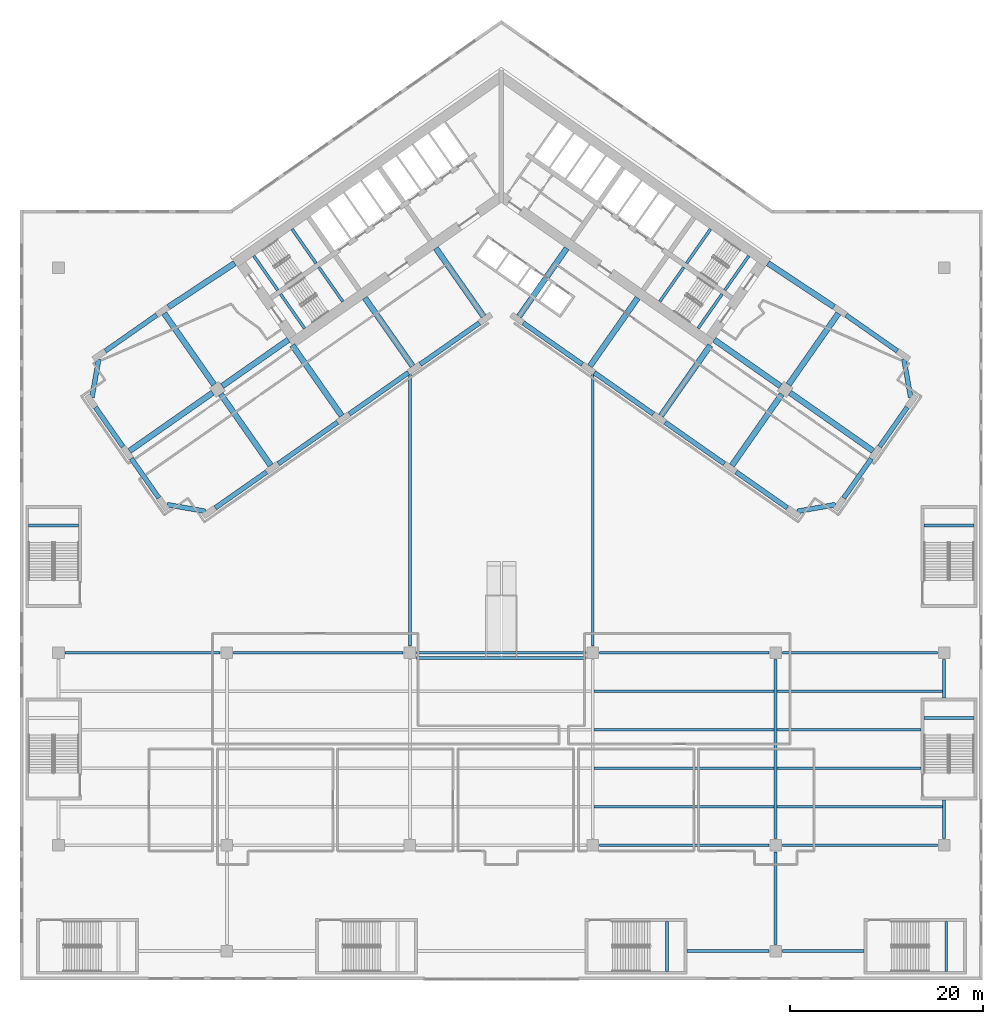
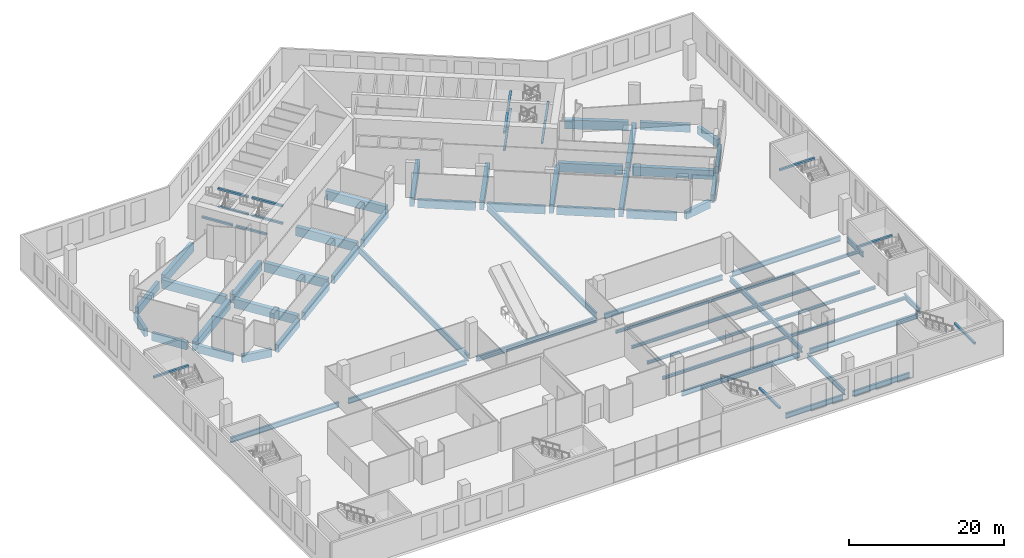
# One storey, part 3 of 26: 75 beams.
"""IFC4 building model written with IfcOpenShell, lengths in metres."""

import ifcopenshell
import ifcopenshell.guid

model = None  # the IFC model being written
_history = None  # IfcOwnerHistory: only IFC2X3 demands one
_inside = {}  # id of a spatial element -> (the spatial element, [elements in it])
_under = {}  # id of a project, library or spatial element -> (it, [spatial elements below it])
_declared = {}  # id of a project -> (the project, [libraries it declares])
_typed = {}  # id of a type object -> (the type object, [elements of that type])
_made_of = {}  # id of a material, layer set ... -> (it, [elements and type objects made of it])


def new_model(schema):
    """Start an empty IFC model of exactly this schema.

    Asked for "IFC4X3", IfcOpenShell would pick the latest addendum, in which some entities
    have other attributes; the version numbers below select the first issue.
    IFC2X3 requires an IfcOwnerHistory on every rooted entity: one is made here for all.
    """
    global model, _history
    if schema == "IFC4X3":
        model = ifcopenshell.file(schema_version=(4, 3, 0, 0))
    else:
        model = ifcopenshell.file(schema=schema)
    _inside.clear()
    _under.clear()
    _declared.clear()
    _typed.clear()
    _made_of.clear()
    _history = None
    if model.schema == "IFC2X3":
        org = make("IfcOrganization", Name="unknown")
        user = make(
            "IfcPersonAndOrganization",
            ThePerson=make("IfcPerson", FamilyName="unknown"),
            TheOrganization=org,
        )
        app = make(
            "IfcApplication",
            ApplicationDeveloper=org,
            Version="unknown",
            ApplicationFullName="unknown",
            ApplicationIdentifier="unknown",
        )
        _history = make(
            "IfcOwnerHistory",
            OwningUser=user,
            OwningApplication=app,
            ChangeAction="ADDED",
            CreationDate=0,
        )
    return model


def make(cls, **values):
    """One entity of the class cls with the attributes given. An attribute that is None is left unset."""
    return model.create_entity(
        cls, **{name: value for name, value in values.items() if value is not None}
    )


def rooted(cls, **values):
    """An entity with a GlobalId (a new one), such as an element, a storey or a relation."""
    return make(cls, GlobalId=ifcopenshell.guid.new(), OwnerHistory=_history, **values)


def si_unit(unit_type, name, prefix=None):
    """IfcSIUnit, for example si_unit("LENGTHUNIT", "METRE", prefix="MILLI")."""
    return make("IfcSIUnit", UnitType=unit_type, Prefix=prefix, Name=name)


def assignment(units):
    """IfcUnitAssignment: the units of a project."""
    return None if units is None else make("IfcUnitAssignment", Units=units)


def point(xyz):
    """IfcCartesianPoint."""
    return None if xyz is None else make("IfcCartesianPoint", Coordinates=xyz)


def direction(xyz):
    """IfcDirection."""
    return None if xyz is None else make("IfcDirection", DirectionRatios=xyz)


def frame(location, z_axis=None, x_axis=None):
    """IfcAxis2Placement3D, a coordinate frame: its origin and axes. An axis left out is left unset."""
    return make(
        "IfcAxis2Placement3D",
        Location=point(location),
        Axis=direction(z_axis),
        RefDirection=direction(x_axis),
    )


def frame_2d(location, x_axis=None):
    """IfcAxis2Placement2D, a coordinate frame in the plane: its origin and x axis."""
    return make(
        "IfcAxis2Placement2D", Location=point(location), RefDirection=direction(x_axis)
    )


def origin():
    """The frame at (0, 0, 0) with its axes left unset."""
    return frame((0.0, 0.0, 0.0))


def origin_2d():
    """The frame at (0, 0) in the plane with its x axis left unset."""
    return frame_2d((0.0, 0.0))


def place(relative_to, where):
    """IfcLocalPlacement: puts the frame where relative to a parent placement (None: the world)."""
    return make(
        "IfcLocalPlacement", PlacementRelTo=relative_to, RelativePlacement=where
    )


def context(
    kind, dimensions, precision=None, world=None, true_north=None, identifier=None
):
    """IfcGeometricRepresentationContext, for example the 3D "Model" context."""
    return make(
        "IfcGeometricRepresentationContext",
        ContextIdentifier=identifier,
        ContextType=kind,
        CoordinateSpaceDimension=dimensions,
        Precision=precision,
        WorldCoordinateSystem=world,
        TrueNorth=true_north,
    )


def subcontext(parent, identifier, kind, view, scale=None):
    """IfcGeometricRepresentationSubContext, for example "Body" below "Model"."""
    return make(
        "IfcGeometricRepresentationSubContext",
        ContextIdentifier=identifier,
        ContextType=kind,
        ParentContext=parent,
        TargetScale=scale,
        TargetView=view,
    )


def project(units=None, contexts=None):
    """IfcProject with its units and contexts."""
    return rooted(
        "IfcProject",
        Name="project",
        RepresentationContexts=contexts,
        UnitsInContext=assignment(units),
    )


def spatial(cls, under=None, at=None, **own):
    """A site, building, storey or space (cls), placed at a placement, below another one or the project."""
    s = rooted(cls, ObjectPlacement=at, **own)
    if under is not None:
        _under.setdefault(under.id(), (under, []))[1].append(s)
    return s


def profile(cls, at=None, kind="AREA", **sizes):
    """A parametric profile (cls). Its sizes go by their IFC names, for example OverallWidth=200.0."""
    return make(cls, ProfileType=kind, Position=at, **sizes)


def rectangle(**sizes):
    """IfcRectangleProfileDef."""
    return profile("IfcRectangleProfileDef", **sizes)


def i_section(**sizes):
    """IfcIShapeProfileDef."""
    return profile("IfcIShapeProfileDef", **sizes)


def extrude(swept, where, along, depth):
    """IfcExtrudedAreaSolid: the profile swept, set in the frame where, extruded along a direction by depth."""
    return make(
        "IfcExtrudedAreaSolid",
        SweptArea=swept,
        Position=where,
        ExtrudedDirection=direction(along),
        Depth=depth,
    )


def shape(context_of_items, identifier, shape_type, items):
    """IfcShapeRepresentation: the items that make up one representation, for example the "Body"."""
    return make(
        "IfcShapeRepresentation",
        ContextOfItems=context_of_items,
        RepresentationIdentifier=identifier,
        RepresentationType=shape_type,
        Items=items,
    )


def material(Name=None, Category=None):
    """IfcMaterial."""
    return make("IfcMaterial", Name=Name, Category=Category)


def material_profile(
    of_material, cross_section, Name=None, Category=None, Priority=None
):
    """IfcMaterialProfile: a cross section and its material."""
    return make(
        "IfcMaterialProfile",
        Name=Name,
        Material=of_material,
        Profile=cross_section,
        Priority=Priority,
        Category=Category,
    )


def profile_set(profiles, Name=None, composite=None):
    """IfcMaterialProfileSet."""
    return make(
        "IfcMaterialProfileSet",
        Name=Name,
        MaterialProfiles=profiles,
        CompositeProfile=composite,
    )


def made_of(thing, what):
    """Note that an element or type object is made of a material, layer set ...; save() writes the relation."""
    if what is not None:
        _made_of.setdefault(what.id(), (what, []))[1].append(thing)
    return thing


def type_object(cls, material=None, **own):
    """A type object (cls), such as IfcWallType, which elements share."""
    return made_of(rooted(cls, **own), material)


def element(
    cls,
    number,
    at=None,
    inside=None,
    cuts=None,
    type_object=None,
    material=None,
    context=None,
    identifier="Body",
    shape_type=None,
    held_by="IfcProductDefinitionShape",
    body=None,
    shapes=None,
    **own,
):
    """One element of the class cls, such as IfcWall. Its Tag is "e" and its number.

    at: its placement. inside: the storey or other place that contains it. cuts: it is an
    opening in that element (IfcRelVoidsElement). A single representation is given by context,
    identifier, shape_type and body (its items); several are given by shapes. held_by: the class
    of the entity that holds the representations. save() writes the other relations.
    """
    e = rooted(cls, Tag="e%d" % number, ObjectPlacement=at, **own)
    if body is not None:
        shapes = [shape(context, identifier, shape_type, body)]
    if shapes is not None:
        e.Representation = make(held_by, Representations=shapes)
    if inside is not None:
        _inside.setdefault(inside.id(), (inside, []))[1].append(e)
    if cuts is not None:
        rooted(
            "IfcRelVoidsElement", RelatingBuildingElement=cuts, RelatedOpeningElement=e
        )
    if type_object is not None:
        _typed.setdefault(type_object.id(), (type_object, []))[1].append(e)
    return made_of(e, material)


def aggregate(whole, parts):
    """IfcRelAggregates: a whole, such as a stair, and the parts it consists of."""
    return rooted("IfcRelAggregates", RelatingObject=whole, RelatedObjects=parts)


def save(model, path):
    """Write the relations noted so far, then the file.

    IfcRelAggregates (storeys below a building ...), IfcRelContainedInSpatialStructure (elements
    in a storey), IfcRelDefinesByType, IfcRelAssociatesMaterial and IfcRelDeclares: one each for
    every whole, place, type object, material and project.
    """
    for whole, parts in _under.values():
        aggregate(whole, parts)
    for where, things in _inside.values():
        rooted(
            "IfcRelContainedInSpatialStructure",
            RelatedElements=things,
            RelatingStructure=where,
        )
    for kind, things in _typed.values():
        rooted("IfcRelDefinesByType", RelatedObjects=things, RelatingType=kind)
    for what, things in _made_of.values():
        rooted("IfcRelAssociatesMaterial", RelatedObjects=things, RelatingMaterial=what)
    for by, libraries in _declared.values():
        rooted("IfcRelDeclares", RelatingContext=by, RelatedDefinitions=libraries)
    model.write(path)


model = new_model("IFC4")

# Units and contexts
model_context = context("Model", 3, precision=1e-05, world=origin(), true_north=direction((0.0, 1.0)))
body_context = subcontext(model_context, "Body", "Model", "MODEL_VIEW")
ifc_project = project(units=[si_unit("LENGTHUNIT", "METRE"), si_unit("AREAUNIT", "SQUARE_METRE"), si_unit("VOLUMEUNIT", "CUBIC_METRE"), si_unit("PLANEANGLEUNIT", "RADIAN"), si_unit("MASSUNIT", "GRAM", prefix="KILO")], contexts=[model_context])

# Site, building, storey
site_placement = place(None, origin())
site = spatial("IfcSite", under=ifc_project, at=site_placement, CompositionType="ELEMENT")
building_placement = place(site_placement, origin())
building = spatial("IfcBuilding", under=site, at=building_placement, Name="Tel Ilan Convention Tower", CompositionType="ELEMENT")
storey_placement = place(building_placement, frame((0.0, 0.0, 32.0)))
storey = spatial("IfcBuildingStorey", under=building, at=storey_placement, Name="L04", CompositionType="ELEMENT", Elevation=32.0)

# Beams
ifc_material_1 = material(Name="Concrete C40/50", Category="concrete")
ifc_material_profile_1 = material_profile(ifc_material_1, rectangle(XDim=0.5, YDim=1.199951171875, at=origin_2d()), Name="RC 500x1200")
ifc_profile_set_1 = profile_set([ifc_material_profile_1], Name="Concrete C40/50")
beam_type_1 = type_object("IfcBeamType", Name="Beam RC 500x1200 Concrete C40/50", PredefinedType="BEAM", material=ifc_profile_set_1)
beam_1_placement = place(storey_placement, frame((-2.279541015625, -13.742919921875, -1.0), z_axis=(-0.819147803225, -0.57358249317, 0.0), x_axis=(0.57358249317, -0.819147803225, 0.0)))
element("IfcBeam", 1, at=beam_1_placement, inside=storey, type_object=beam_type_1, Name="L04 beam W-W-F1-W-F2", PredefinedType="BEAM", context=body_context, shape_type="SweptSolid", body=[
    extrude(rectangle(XDim=0.5, YDim=1.199951171875, at=origin_2d()), origin(), (0.0, 0.0, 1.0), 7.500244140625),
])
for number, where, z_axis, x_axis, name in (
    (2, (-9.652099609375, -18.905029296875, -1.0), (-0.81915238829, -0.573575945067, 0.0), (0.573575945067, -0.81915238829, 0.0), "L04 beam W-W-F2-W-F3"),
    (3, (-17.0244140625, -24.0673828125, -1.0), (-0.81915238829, -0.573575945067, 0.0), (0.573575945067, -0.81915238829, 0.0), "L04 beam W-W-F3-W-F4"),
):
    element("IfcBeam", number, at=place(storey_placement, frame(where, z_axis=z_axis, x_axis=x_axis)), inside=storey, type_object=beam_type_1, Name=name, PredefinedType="BEAM", context=body_context, shape_type="SweptSolid", body=[
        extrude(rectangle(XDim=0.5, YDim=1.199951171875, at=origin_2d()), origin(), (0.0, 0.0, 1.0), 7.5),
    ])
beam_2_placement = place(storey_placement, frame((-24.396728515625, -29.2294921875, -1.0), z_axis=(-0.819148977158, -0.573580816643, 0.0), x_axis=(0.573580816643, -0.819148977158, 0.0)))
element("IfcBeam", 4, at=beam_2_placement, inside=storey, type_object=beam_type_1, Name="L04 beam W-W-F4-W-FC", PredefinedType="BEAM", context=body_context, shape_type="SweptSolid", body=[
    extrude(rectangle(XDim=0.5, YDim=1.199951171875, at=origin_2d()), origin(), (0.0, 0.0, 1.0), 6.5),
])
beam_3_placement = place(storey_placement, frame((-30.75341796875, -33.314208984375, -1.0), z_axis=(-0.984815252405, 0.173605641124, 0.0), x_axis=(-0.173605641124, -0.984815252405, 0.0)))
element("IfcBeam", 5, at=beam_3_placement, inside=storey, type_object=beam_type_1, Name="L04 beam W-W-FC-W-E1", PredefinedType="BEAM", context=body_context, shape_type="SweptSolid", body=[
    extrude(rectangle(XDim=0.5, YDim=1.199951171875, at=origin_2d()), origin(), (0.0, 0.0, 1.0), 4.030517578125),
])
for number, where, z_axis, x_axis, name in (
    (6, (-35.57080078125, -31.92626953125, -1.0), (-0.573586866468, 0.819144740944, 0.0), (-0.819144740944, -0.573586866468, 0.0), "L04 beam W-W-E1-W-E2"),
    (7, (-39.298828125, -26.601806640625, -1.0), (-0.573586866468, 0.819144740944, 0.0), (-0.819144740944, -0.573586866468, 0.0), "L04 beam W-W-E2-W-E3"),
):
    element("IfcBeam", number, at=place(storey_placement, frame(where, z_axis=z_axis, x_axis=x_axis)), inside=storey, type_object=beam_type_1, Name=name, PredefinedType="BEAM", context=body_context, shape_type="SweptSolid", body=[
        extrude(rectangle(XDim=0.5, YDim=1.199951171875, at=origin_2d()), origin(), (0.0, 0.0, 1.0), 5.0),
    ])
beam_4_placement = place(storey_placement, frame((-42.523193359375, -21.473876953125, -1.0), z_axis=(0.173605641124, 0.984815252405, 0.0), x_axis=(-0.984815252405, 0.173605641124, 0.0)))
element("IfcBeam", 8, at=beam_4_placement, inside=storey, type_object=beam_type_1, Name="L04 beam W-W-E3-W-BC", PredefinedType="BEAM", context=body_context, shape_type="SweptSolid", body=[
    extrude(rectangle(XDim=0.5, YDim=1.199951171875, at=origin_2d()), origin(), (0.0, 0.0, 1.0), 4.030517578125),
])
beam_5_placement = place(storey_placement, frame((-41.135498046875, -16.656494140625, -1.0), z_axis=(0.819178980414, 0.573537965655, 0.0), x_axis=(-0.573537965655, 0.819178980414, 0.0)))
element("IfcBeam", 9, at=beam_5_placement, inside=storey, type_object=beam_type_1, Name="L04 beam W-W-BC-W-B4", PredefinedType="BEAM", context=body_context, shape_type="SweptSolid", body=[
    extrude(rectangle(XDim=0.5, YDim=1.199951171875, at=origin_2d()), origin(), (0.0, 0.0, 1.0), 6.5),
])
beam_6_placement = place(storey_placement, frame((2.279541015625, -13.742919921875, -1.0), z_axis=(0.819147803225, -0.57358249317, 0.0), x_axis=(0.57358249317, 0.819147803225, 0.0)))
element("IfcBeam", 10, at=beam_6_placement, inside=storey, type_object=beam_type_1, Name="L04 beam E-E-F1-E-F2", PredefinedType="BEAM", context=body_context, shape_type="SweptSolid", body=[
    extrude(rectangle(XDim=0.5, YDim=1.199951171875, at=origin_2d()), origin(), (0.0, 0.0, 1.0), 7.500244140625),
])
for number, where, z_axis, x_axis, name in (
    (11, (9.652099609375, -18.905029296875, -1.0), (0.81915238829, -0.573575945067, 0.0), (0.573575945067, 0.81915238829, 0.0), "L04 beam E-E-F2-E-F3"),
    (12, (17.0244140625, -24.0673828125, -1.0), (0.81915238829, -0.573575945067, 0.0), (0.573575945067, 0.81915238829, 0.0), "L04 beam E-E-F3-E-F4"),
):
    element("IfcBeam", number, at=place(storey_placement, frame(where, z_axis=z_axis, x_axis=x_axis)), inside=storey, type_object=beam_type_1, Name=name, PredefinedType="BEAM", context=body_context, shape_type="SweptSolid", body=[
        extrude(rectangle(XDim=0.5, YDim=1.199951171875, at=origin_2d()), origin(), (0.0, 0.0, 1.0), 7.5),
    ])
beam_7_placement = place(storey_placement, frame((24.396728515625, -29.2294921875, -1.0), z_axis=(0.819148977158, -0.573580816643, 0.0), x_axis=(0.573580816643, 0.819148977158, 0.0)))
element("IfcBeam", 13, at=beam_7_placement, inside=storey, type_object=beam_type_1, Name="L04 beam E-E-F4-E-FC", PredefinedType="BEAM", context=body_context, shape_type="SweptSolid", body=[
    extrude(rectangle(XDim=0.5, YDim=1.199951171875, at=origin_2d()), origin(), (0.0, 0.0, 1.0), 6.5),
])
beam_8_placement = place(storey_placement, frame((30.75341796875, -33.314208984375, -1.0), z_axis=(0.984815252405, 0.173605641124, 0.0), x_axis=(-0.173605641124, 0.984815252405, 0.0)))
element("IfcBeam", 14, at=beam_8_placement, inside=storey, type_object=beam_type_1, Name="L04 beam E-E-FC-E-E1", PredefinedType="BEAM", context=body_context, shape_type="SweptSolid", body=[
    extrude(rectangle(XDim=0.5, YDim=1.199951171875, at=origin_2d()), origin(), (0.0, 0.0, 1.0), 4.030517578125),
])
for number, where, z_axis, x_axis, name in (
    (15, (35.57080078125, -31.92626953125, -1.0), (0.573586866468, 0.819144740944, 0.0), (-0.819144740944, 0.573586866468, 0.0), "L04 beam E-E-E1-E-E2"),
    (16, (39.298828125, -26.601806640625, -1.0), (0.573586866468, 0.819144740944, 0.0), (-0.819144740944, 0.573586866468, 0.0), "L04 beam E-E-E2-E-E3"),
):
    element("IfcBeam", number, at=place(storey_placement, frame(where, z_axis=z_axis, x_axis=x_axis)), inside=storey, type_object=beam_type_1, Name=name, PredefinedType="BEAM", context=body_context, shape_type="SweptSolid", body=[
        extrude(rectangle(XDim=0.5, YDim=1.199951171875, at=origin_2d()), origin(), (0.0, 0.0, 1.0), 5.0),
    ])
beam_9_placement = place(storey_placement, frame((42.523193359375, -21.473876953125, -1.0), z_axis=(-0.173605641124, 0.984815252405, 0.0), x_axis=(-0.984815252405, -0.173605641124, 0.0)))
element("IfcBeam", 17, at=beam_9_placement, inside=storey, type_object=beam_type_1, Name="L04 beam E-E-E3-E-BC", PredefinedType="BEAM", context=body_context, shape_type="SweptSolid", body=[
    extrude(rectangle(XDim=0.5, YDim=1.199951171875, at=origin_2d()), origin(), (0.0, 0.0, 1.0), 4.030517578125),
])
beam_10_placement = place(storey_placement, frame((41.135498046875, -16.656494140625, -1.0), z_axis=(-0.819178980414, 0.573537965655, 0.0), x_axis=(-0.573537965655, -0.819178980414, 0.0)))
element("IfcBeam", 18, at=beam_10_placement, inside=storey, type_object=beam_type_1, Name="L04 beam E-E-BC-E-B4", PredefinedType="BEAM", context=body_context, shape_type="SweptSolid", body=[
    extrude(rectangle(XDim=0.5, YDim=1.199951171875, at=origin_2d()), origin(), (0.0, 0.0, 1.0), 6.5),
])
ifc_material_2 = material(Name="Concrete C40/50", Category="concrete")
ifc_material_profile_2 = material_profile(ifc_material_2, rectangle(XDim=0.60009765625, YDim=1.39990234375, at=origin_2d()), Name="RC 600x1400")
ifc_profile_set_2 = profile_set([ifc_material_profile_2], Name="Concrete C40/50")
beam_type_2 = type_object("IfcBeamType", Name="Beam RC 600x1400 Concrete C40/50", PredefinedType="BEAM", material=ifc_profile_set_2)
beam_11_placement = place(storey_placement, frame((-34.570556640625, -12.08447265625, -1.10009765625), z_axis=(0.834273603487, 0.551350663847, 0.0), x_axis=(-0.551350663847, 0.834273603487, 0.0)))
element("IfcBeam", 19, at=beam_11_placement, inside=storey, type_object=beam_type_2, Name="L04 beam W-W-B4-core", PredefinedType="BEAM", context=body_context, shape_type="SweptSolid", body=[
    extrude(rectangle(XDim=0.60009765625, YDim=1.39990234375, at=origin_2d()), origin(), (0.0, 0.0, 1.0), 8.2529296875),
])
for number, where, z_axis, x_axis, name in (
    (20, (-1.83740234375, -13.06689453125, -1.10009765625), (-0.573574099654, 0.819153680457, 0.0), (-0.819153680457, -0.573574099654, 0.0), "L04 beam W-W-F1-core"),
    (21, (-9.209716796875, -18.229248046875, -1.10009765625), (-0.573574099654, 0.819153680457, 0.0), (-0.819153680457, -0.573574099654, 0.0), "L04 beam W-W-F2-core"),
):
    element("IfcBeam", number, at=place(storey_placement, frame(where, z_axis=z_axis, x_axis=x_axis)), inside=storey, type_object=beam_type_2, Name=name, PredefinedType="BEAM", context=body_context, shape_type="SweptSolid", body=[
        extrude(rectangle(XDim=0.60009765625, YDim=1.39990234375, at=origin_2d()), origin(), (0.0, 0.0, 1.0), 8.64990234375),
    ])
beam_12_placement = place(storey_placement, frame((-16.58203125, -23.391357421875, -1.10009765625), z_axis=(-0.573584999642, 0.819146048141, 0.0), x_axis=(-0.819146048141, -0.573584999642, 0.0)))
element("IfcBeam", 22, at=beam_12_placement, inside=storey, type_object=beam_type_2, Name="L04 beam W-W-F3-core", PredefinedType="BEAM", context=body_context, shape_type="SweptSolid", body=[
    extrude(rectangle(XDim=0.60009765625, YDim=1.39990234375, at=origin_2d()), origin(), (0.0, 0.0, 1.0), 8.949951171875),
])
beam_13_placement = place(storey_placement, frame((-22.1171875, -15.486572265625, -1.10009765625), z_axis=(-0.819147254605, -0.573583276668, 0.0), x_axis=(0.573583276668, -0.819147254605, 0.0)))
element("IfcBeam", 23, at=beam_13_placement, inside=storey, type_object=beam_type_2, Name="L04 beam W-core-W-M4", PredefinedType="BEAM", context=body_context, shape_type="SweptSolid", body=[
    extrude(rectangle(XDim=0.60009765625, YDim=1.39990234375, at=origin_2d()), origin(), (0.0, 0.0, 1.0), 8.400146484375),
])
beam_14_placement = place(storey_placement, frame((-29.98095703125, -20.992919921875, -1.10009765625), z_axis=(-0.819151461915, -0.573577268067, 0.0), x_axis=(0.573577268067, -0.819151461915, 0.0)))
element("IfcBeam", 24, at=beam_14_placement, inside=storey, type_object=beam_type_2, Name="L04 beam W-W-M4-end", PredefinedType="BEAM", context=body_context, shape_type="SweptSolid", body=[
    extrude(rectangle(XDim=0.60009765625, YDim=1.39990234375, at=origin_2d()), origin(), (0.0, 0.0, 1.0), 10.550048828125),
])
for number, where, z_axis, x_axis, name in (
    (25, (-29.145263671875, -21.14013671875, -1.10009765625), (0.573549245583, -0.819171082798, 0.0), (0.819171082798, 0.573549245583, 0.0), "L04 beam W-W-M4-W-F4"),
    (26, (-29.83349609375, -20.1572265625, -1.10009765625), (-0.57358002233, 0.819149533348, 0.0), (-0.819149533348, -0.57358002233, 0.0), "L04 beam W-W-M4-W-B4"),
):
    element("IfcBeam", number, at=place(storey_placement, frame(where, z_axis=z_axis, x_axis=x_axis)), inside=storey, type_object=beam_type_2, Name=name, PredefinedType="BEAM", context=body_context, shape_type="SweptSolid", body=[
        extrude(rectangle(XDim=0.60009765625, YDim=1.39990234375, at=origin_2d()), origin(), (0.0, 0.0, 1.0), 9.050048828125),
    ])
beam_15_placement = place(storey_placement, frame((34.570556640625, -12.08447265625, -1.10009765625), z_axis=(-0.834273603487, 0.551350663847, 0.0), x_axis=(-0.551350663847, -0.834273603487, 0.0)))
element("IfcBeam", 27, at=beam_15_placement, inside=storey, type_object=beam_type_2, Name="L04 beam E-E-B4-core", PredefinedType="BEAM", context=body_context, shape_type="SweptSolid", body=[
    extrude(rectangle(XDim=0.60009765625, YDim=1.39990234375, at=origin_2d()), origin(), (0.0, 0.0, 1.0), 8.2529296875),
])
for number, where, z_axis, x_axis, name in (
    (28, (1.83740234375, -13.06689453125, -1.10009765625), (0.573574099654, 0.819153680457, 0.0), (-0.819153680457, 0.573574099654, 0.0), "L04 beam E-E-F1-core"),
    (29, (9.209716796875, -18.229248046875, -1.10009765625), (0.573574099654, 0.819153680457, 0.0), (-0.819153680457, 0.573574099654, 0.0), "L04 beam E-E-F2-core"),
):
    element("IfcBeam", number, at=place(storey_placement, frame(where, z_axis=z_axis, x_axis=x_axis)), inside=storey, type_object=beam_type_2, Name=name, PredefinedType="BEAM", context=body_context, shape_type="SweptSolid", body=[
        extrude(rectangle(XDim=0.60009765625, YDim=1.39990234375, at=origin_2d()), origin(), (0.0, 0.0, 1.0), 8.64990234375),
    ])
beam_16_placement = place(storey_placement, frame((16.58203125, -23.391357421875, -1.10009765625), z_axis=(0.573584999642, 0.819146048141, 0.0), x_axis=(-0.819146048141, 0.573584999642, 0.0)))
element("IfcBeam", 30, at=beam_16_placement, inside=storey, type_object=beam_type_2, Name="L04 beam E-E-F3-core", PredefinedType="BEAM", context=body_context, shape_type="SweptSolid", body=[
    extrude(rectangle(XDim=0.60009765625, YDim=1.39990234375, at=origin_2d()), origin(), (0.0, 0.0, 1.0), 8.949951171875),
])
beam_17_placement = place(storey_placement, frame((22.1171875, -15.486572265625, -1.10009765625), z_axis=(0.819147254605, -0.573583276668, 0.0), x_axis=(0.573583276668, 0.819147254605, 0.0)))
element("IfcBeam", 31, at=beam_17_placement, inside=storey, type_object=beam_type_2, Name="L04 beam E-core-E-M4", PredefinedType="BEAM", context=body_context, shape_type="SweptSolid", body=[
    extrude(rectangle(XDim=0.60009765625, YDim=1.39990234375, at=origin_2d()), origin(), (0.0, 0.0, 1.0), 8.400146484375),
])
beam_18_placement = place(storey_placement, frame((29.98095703125, -20.992919921875, -1.10009765625), z_axis=(0.819151461915, -0.573577268067, 0.0), x_axis=(0.573577268067, 0.819151461915, 0.0)))
element("IfcBeam", 32, at=beam_18_placement, inside=storey, type_object=beam_type_2, Name="L04 beam E-E-M4-end", PredefinedType="BEAM", context=body_context, shape_type="SweptSolid", body=[
    extrude(rectangle(XDim=0.60009765625, YDim=1.39990234375, at=origin_2d()), origin(), (0.0, 0.0, 1.0), 10.550048828125),
])
for number, where, z_axis, x_axis, name in (
    (33, (29.145263671875, -21.14013671875, -1.10009765625), (-0.573549245583, -0.819171082798, 0.0), (0.819171082798, -0.573549245583, 0.0), "L04 beam E-E-M4-E-F4"),
    (34, (29.83349609375, -20.1572265625, -1.10009765625), (0.57358002233, 0.819149533348, 0.0), (-0.819149533348, 0.57358002233, 0.0), "L04 beam E-E-M4-E-B4"),
):
    element("IfcBeam", number, at=place(storey_placement, frame(where, z_axis=z_axis, x_axis=x_axis)), inside=storey, type_object=beam_type_2, Name=name, PredefinedType="BEAM", context=body_context, shape_type="SweptSolid", body=[
        extrude(rectangle(XDim=0.60009765625, YDim=1.39990234375, at=origin_2d()), origin(), (0.0, 0.0, 1.0), 9.050048828125),
    ])
ifc_material_3 = material(Name="Steel S355", Category="steel")
ifc_material_profile_3 = material_profile(ifc_material_3, i_section(OverallWidth=0.300048828125, OverallDepth=1.0, WebThickness=0.01904296875, FlangeThickness=0.035888671875, FilletRadius=0.030029296875, at=origin_2d()), Name="HEB 1000")
ifc_profile_set_3 = profile_set([ifc_material_profile_3], Name="Steel S355")
beam_type_3 = type_object("IfcBeamType", Name="Girder HEB 1000 Steel S355", PredefinedType="BEAM", material=ifc_profile_set_3)
for number, where, z_axis, x_axis, name in (
    (35, (-9.5, -47.300048828125, -0.89990234375), (0.0, 1.0, 0.0), (-1.0, 0.0, 0.0), "L04 beam GN1"),
    (36, (9.5, -47.300048828125, -0.89990234375), (0.0, 1.0, 0.0), (-1.0, 0.0, 0.0), "L04 beam GN2"),
):
    element("IfcBeam", number, at=place(storey_placement, frame(where, z_axis=z_axis, x_axis=x_axis)), inside=storey, type_object=beam_type_3, Name=name, PredefinedType="BEAM", context=body_context, shape_type="SweptSolid", body=[
        extrude(i_section(OverallWidth=0.300048828125, OverallDepth=1.0, WebThickness=0.01904296875, FlangeThickness=0.035888671875, FilletRadius=0.030029296875, at=origin_2d()), origin(), (0.0, 0.0, 1.0), 28.177734375),
    ])
ifc_material_4 = material(Name="Steel S355", Category="steel")
ifc_material_profile_4 = material_profile(ifc_material_4, i_section(OverallWidth=0.300048828125, OverallDepth=0.800048828125, WebThickness=0.017578125, FlangeThickness=0.032958984375, FilletRadius=0.030029296875, at=origin_2d()), Name="HEB 800")
ifc_profile_set_4 = profile_set([ifc_material_profile_4], Name="Steel S355")
beam_type_4 = type_object("IfcBeamType", Name="Girder HEB 800 Steel S355", PredefinedType="BEAM", material=ifc_profile_set_4)
beam_19_placement = place(storey_placement, frame((10.199951171875, -68.0, -0.800048828125), z_axis=(1.0, 0.0, 0.0), x_axis=(0.0, 1.0, 0.0)))
element("IfcBeam", 37, at=beam_19_placement, inside=storey, type_object=beam_type_4, Name="L04 beam GX24-5", PredefinedType="BEAM", context=body_context, shape_type="SweptSolid", body=[
    extrude(i_section(OverallWidth=0.300048828125, OverallDepth=0.800048828125, WebThickness=0.017578125, FlangeThickness=0.032958984375, FilletRadius=0.030029296875, at=origin_2d()), origin(), (0.0, 0.0, 1.0), 17.60009765625),
])
for number, where, z_axis, x_axis, name in (
    (38, (29.199951171875, -68.0, -0.800048828125), (1.0, 0.0, 0.0), (0.0, 1.0, 0.0), "L04 beam GX25-6"),
    (39, (-45.300048828125, -48.0, -0.800048828125), (1.0, 0.0, 0.0), (0.0, 1.0, 0.0), "L04 beam GX31-2"),
):
    element("IfcBeam", number, at=place(storey_placement, frame(where, z_axis=z_axis, x_axis=x_axis)), inside=storey, type_object=beam_type_4, Name=name, PredefinedType="BEAM", context=body_context, shape_type="SweptSolid", body=[
        extrude(i_section(OverallWidth=0.300048828125, OverallDepth=0.800048828125, WebThickness=0.017578125, FlangeThickness=0.032958984375, FilletRadius=0.030029296875, at=origin_2d()), origin(), (0.0, 0.0, 1.0), 16.10009765625),
    ])
for number, where, z_axis, x_axis, name in (
    (40, (-27.800048828125, -48.0, -0.800048828125), (1.0, 0.0, 0.0), (0.0, 1.0, 0.0), "L04 beam GX32-3"),
    (41, (-8.800048828125, -48.0, -0.800048828125), (1.0, 0.0, 0.0), (0.0, 1.0, 0.0), "L04 beam GX33-4"),
    (42, (10.199951171875, -48.0, -0.800048828125), (1.0, 0.0, 0.0), (0.0, 1.0, 0.0), "L04 beam GX34-5"),
):
    element("IfcBeam", number, at=place(storey_placement, frame(where, z_axis=z_axis, x_axis=x_axis)), inside=storey, type_object=beam_type_4, Name=name, PredefinedType="BEAM", context=body_context, shape_type="SweptSolid", body=[
        extrude(i_section(OverallWidth=0.300048828125, OverallDepth=0.800048828125, WebThickness=0.017578125, FlangeThickness=0.032958984375, FilletRadius=0.030029296875, at=origin_2d()), origin(), (0.0, 0.0, 1.0), 17.60009765625),
    ])
beam_20_placement = place(storey_placement, frame((29.199951171875, -48.0, -0.800048828125), z_axis=(1.0, 0.0, 0.0), x_axis=(0.0, 1.0, 0.0)))
element("IfcBeam", 43, at=beam_20_placement, inside=storey, type_object=beam_type_4, Name="L04 beam GX35-6", PredefinedType="BEAM", context=body_context, shape_type="SweptSolid", body=[
    extrude(i_section(OverallWidth=0.300048828125, OverallDepth=0.800048828125, WebThickness=0.017578125, FlangeThickness=0.032958984375, FilletRadius=0.030029296875, at=origin_2d()), origin(), (0.0, 0.0, 1.0), 16.10009765625),
])
beam_21_placement = place(storey_placement, frame((28.5, -78.300048828125, -0.800048828125), z_axis=(0.0, 1.0, 0.0), x_axis=(-1.0, 0.0, 0.0)))
element("IfcBeam", 44, at=beam_21_placement, inside=storey, type_object=beam_type_4, Name="L04 beam GY51-2", PredefinedType="BEAM", context=body_context, shape_type="SweptSolid", body=[
    extrude(i_section(OverallWidth=0.300048828125, OverallDepth=0.800048828125, WebThickness=0.017578125, FlangeThickness=0.032958984375, FilletRadius=0.030029296875, at=origin_2d()), origin(), (0.0, 0.0, 1.0), 9.60009765625),
])
beam_22_placement = place(storey_placement, frame((28.5, -67.300048828125, -0.800048828125), z_axis=(0.0, 1.0, 0.0), x_axis=(-1.0, 0.0, 0.0)))
element("IfcBeam", 45, at=beam_22_placement, inside=storey, type_object=beam_type_4, Name="L04 beam GY52-3", PredefinedType="BEAM", context=body_context, shape_type="SweptSolid", body=[
    extrude(i_section(OverallWidth=0.300048828125, OverallDepth=0.800048828125, WebThickness=0.017578125, FlangeThickness=0.032958984375, FilletRadius=0.030029296875, at=origin_2d()), origin(), (0.0, 0.0, 1.0), 18.60009765625),
])
for number, where, z_axis, x_axis, name in (
    (46, (46.0, -67.300048828125, -0.800048828125), (0.0, 1.0, 0.0), (-1.0, 0.0, 0.0), "L04 beam GY62-3"),
    (47, (46.0, -52.699951171875, -0.800048828125), (0.0, 1.0, 0.0), (-1.0, 0.0, 0.0), "L04 beam GY62-3"),
):
    element("IfcBeam", number, at=place(storey_placement, frame(where, z_axis=z_axis, x_axis=x_axis)), inside=storey, type_object=beam_type_4, Name=name, PredefinedType="BEAM", context=body_context, shape_type="SweptSolid", body=[
        extrude(i_section(OverallWidth=0.300048828125, OverallDepth=0.800048828125, WebThickness=0.017578125, FlangeThickness=0.032958984375, FilletRadius=0.030029296875, at=origin_2d()), origin(), (0.0, 0.0, 1.0), 4.0),
    ])
for number, where, z_axis, x_axis, name in (
    (48, (19.300048828125, -79.0, -0.800048828125), (1.0, 0.0, 0.0), (0.0, 1.0, 0.0), "L04 beam GS22"),
    (49, (29.199951171875, -79.0, -0.800048828125), (1.0, 0.0, 0.0), (0.0, 1.0, 0.0), "L04 beam GS23"),
):
    element("IfcBeam", number, at=place(storey_placement, frame(where, z_axis=z_axis, x_axis=x_axis)), inside=storey, type_object=beam_type_4, Name=name, PredefinedType="BEAM", context=body_context, shape_type="SweptSolid", body=[
        extrude(i_section(OverallWidth=0.300048828125, OverallDepth=0.800048828125, WebThickness=0.017578125, FlangeThickness=0.032958984375, FilletRadius=0.030029296875, at=origin_2d()), origin(), (0.0, 0.0, 1.0), 8.5),
    ])
ifc_material_5 = material(Name="Steel S355", Category="steel")
ifc_material_profile_5 = material_profile(ifc_material_5, i_section(OverallWidth=0.300048828125, OverallDepth=0.449951171875, WebThickness=0.013916015625, FlangeThickness=0.02587890625, FilletRadius=0.027099609375, at=origin_2d()), Name="HEB 450")
ifc_profile_set_5 = profile_set([ifc_material_profile_5], Name="Steel S355")
beam_type_5 = type_object("IfcBeamType", Name="Joist HEB 450 Steel S355", PredefinedType="JOIST", material=ifc_profile_set_5)
for number, where, z_axis, x_axis, name in (
    (50, (9.639892578125, -64.0, -0.625), (1.0, 0.0, 0.0), (0.0, 1.0, 0.0), "L04 beam J4--68-1"),
    (51, (9.639892578125, -60.0, -0.625), (1.0, 0.0, 0.0), (0.0, 1.0, 0.0), "L04 beam J4--68-2"),
    (52, (9.639892578125, -56.0, -0.625), (1.0, 0.0, 0.0), (0.0, 1.0, 0.0), "L04 beam J4--68-3"),
    (53, (9.639892578125, -52.0, -0.625), (1.0, 0.0, 0.0), (0.0, 1.0, 0.0), "L04 beam J4--68-4"),
):
    element("IfcBeam", number, at=place(storey_placement, frame(where, z_axis=z_axis, x_axis=x_axis)), inside=storey, type_object=beam_type_5, Name=name, PredefinedType="JOIST", context=body_context, shape_type="SweptSolid", body=[
        extrude(i_section(OverallWidth=0.300048828125, OverallDepth=0.449951171875, WebThickness=0.013916015625, FlangeThickness=0.02587890625, FilletRadius=0.027099609375, at=origin_2d()), origin(), (0.0, 0.0, 1.0), 18.72021484375),
    ])
beam_23_placement = place(storey_placement, frame((28.639892578125, -64.0, -0.625), z_axis=(1.0, 0.0, 0.0), x_axis=(0.0, 1.0, 0.0)))
element("IfcBeam", 54, at=beam_23_placement, inside=storey, type_object=beam_type_5, Name="L04 beam J5--68-1", PredefinedType="JOIST", context=body_context, shape_type="SweptSolid", body=[
    extrude(i_section(OverallWidth=0.300048828125, OverallDepth=0.449951171875, WebThickness=0.013916015625, FlangeThickness=0.02587890625, FilletRadius=0.027099609375, at=origin_2d()), origin(), (0.0, 0.0, 1.0), 17.22021484375),
])
for number, where, z_axis, x_axis, name in (
    (55, (28.639892578125, -60.0, -0.625), (1.0, 0.0, 0.0), (0.0, 1.0, 0.0), "L04 beam J5--68-2"),
    (56, (28.639892578125, -56.0, -0.625), (1.0, 0.0, 0.0), (0.0, 1.0, 0.0), "L04 beam J5--68-3"),
):
    element("IfcBeam", number, at=place(storey_placement, frame(where, z_axis=z_axis, x_axis=x_axis)), inside=storey, type_object=beam_type_5, Name=name, PredefinedType="JOIST", context=body_context, shape_type="SweptSolid", body=[
        extrude(i_section(OverallWidth=0.300048828125, OverallDepth=0.449951171875, WebThickness=0.013916015625, FlangeThickness=0.02587890625, FilletRadius=0.027099609375, at=origin_2d()), origin(), (0.0, 0.0, 1.0), 14.960205078125),
    ])
beam_24_placement = place(storey_placement, frame((28.639892578125, -52.0, -0.625), z_axis=(1.0, 0.0, 0.0), x_axis=(0.0, 1.0, 0.0)))
element("IfcBeam", 57, at=beam_24_placement, inside=storey, type_object=beam_type_5, Name="L04 beam J5--68-4", PredefinedType="JOIST", context=body_context, shape_type="SweptSolid", body=[
    extrude(i_section(OverallWidth=0.300048828125, OverallDepth=0.449951171875, WebThickness=0.013916015625, FlangeThickness=0.02587890625, FilletRadius=0.027099609375, at=origin_2d()), origin(), (0.0, 0.0, 1.0), 17.22021484375),
])
beam_25_placement = place(storey_placement, frame((-8.800048828125, -48.535888671875, -0.625), z_axis=(1.0, 0.0, 0.0), x_axis=(0.0, 1.0, 0.0)))
element("IfcBeam", 58, at=beam_25_placement, inside=storey, type_object=beam_type_5, Name="L04 beam TE4", PredefinedType="JOIST", context=body_context, shape_type="SweptSolid", body=[
    extrude(i_section(OverallWidth=0.300048828125, OverallDepth=0.449951171875, WebThickness=0.013916015625, FlangeThickness=0.02587890625, FilletRadius=0.027099609375, at=origin_2d()), origin(), (0.0, 0.0, 1.0), 17.60009765625),
])
ifc_material_6 = material(Name="Concrete C40/50", Category="concrete")
ifc_material_profile_6 = material_profile(ifc_material_6, rectangle(XDim=0.300048828125, YDim=0.300048828125, at=origin_2d()), Name="RC 300x300")
ifc_profile_set_6 = profile_set([ifc_material_profile_6], Name="Concrete C40/50")
beam_type_6 = type_object("IfcBeamType", Name="Landing Beam RC 300x300 Concrete C40/50", PredefinedType="BEAM", material=ifc_profile_set_6)
beam_26_placement = place(storey_placement, frame((-19.242919921875, -7.553466796875, 1.02490234375), z_axis=(-0.57356780395, 0.819158088694, 0.0), x_axis=(-0.819158088694, -0.57356780395, 0.0)))
element("IfcBeam", 59, at=beam_26_placement, inside=storey, type_object=beam_type_6, Name="S1 landing beam L04.1", PredefinedType="BEAM", context=body_context, shape_type="SweptSolid", body=[
    extrude(rectangle(XDim=0.300048828125, YDim=0.300048828125, at=origin_2d()), origin(), (0.0, 0.0, 1.0), 4.35009765625),
])
beam_27_placement = place(storey_placement, frame((-23.219482421875, -10.337646484375, 2.39990234375), z_axis=(-0.573556512523, 0.819165994742, 0.0), x_axis=(-0.819165994742, -0.573556512523, 0.0)))
element("IfcBeam", 60, at=beam_27_placement, inside=storey, type_object=beam_type_6, Name="S1 landing beam L04.2", PredefinedType="BEAM", context=body_context, shape_type="SweptSolid", body=[
    extrude(rectangle(XDim=0.300048828125, YDim=0.300048828125, at=origin_2d()), origin(), (0.0, 0.0, 1.0), 4.349853515625),
])
beam_28_placement = place(storey_placement, frame((-19.242919921875, -7.553466796875, 3.77490234375), z_axis=(-0.57356780395, 0.819158088694, 0.0), x_axis=(-0.819158088694, -0.57356780395, 0.0)))
element("IfcBeam", 61, at=beam_28_placement, inside=storey, type_object=beam_type_6, Name="S1 landing beam L04.3", PredefinedType="BEAM", context=body_context, shape_type="SweptSolid", body=[
    extrude(rectangle(XDim=0.300048828125, YDim=0.300048828125, at=origin_2d()), origin(), (0.0, 0.0, 1.0), 4.35009765625),
])
for number, where, z_axis, x_axis, name in (
    (62, (-16.461181640625, -11.526123046875, 1.02490234375), (-0.573594173421, 0.819139624372, 0.0), (-0.819139624372, -0.573594173421, 0.0), "S2 landing beam L04.1"),
    (63, (-20.4375, -14.310546875, 2.39990234375), (-0.573594173421, 0.819139624372, 0.0), (-0.819139624372, -0.573594173421, 0.0), "S2 landing beam L04.2"),
    (64, (-16.461181640625, -11.526123046875, 3.77490234375), (-0.573594173421, 0.819139624372, 0.0), (-0.819139624372, -0.573594173421, 0.0), "S2 landing beam L04.3"),
):
    element("IfcBeam", number, at=place(storey_placement, frame(where, z_axis=z_axis, x_axis=x_axis)), inside=storey, type_object=beam_type_6, Name=name, PredefinedType="BEAM", context=body_context, shape_type="SweptSolid", body=[
        extrude(rectangle(XDim=0.300048828125, YDim=0.300048828125, at=origin_2d()), origin(), (0.0, 0.0, 1.0), 4.349853515625),
    ])
beam_29_placement = place(storey_placement, frame((21.738037109375, -3.989990234375, 1.02490234375), z_axis=(-0.57356780395, -0.819158088694, 0.0), x_axis=(0.819158088694, -0.57356780395, 0.0)))
element("IfcBeam", 65, at=beam_29_placement, inside=storey, type_object=beam_type_6, Name="S3 landing beam L04.1", PredefinedType="BEAM", context=body_context, shape_type="SweptSolid", body=[
    extrude(rectangle(XDim=0.300048828125, YDim=0.300048828125, at=origin_2d()), origin(), (0.0, 0.0, 1.0), 4.35009765625),
])
beam_30_placement = place(storey_placement, frame((25.71435546875, -6.7744140625, 2.39990234375), z_axis=(-0.573556512523, -0.819165994742, 0.0), x_axis=(0.819165994742, -0.573556512523, 0.0)))
element("IfcBeam", 66, at=beam_30_placement, inside=storey, type_object=beam_type_6, Name="S3 landing beam L04.2", PredefinedType="BEAM", context=body_context, shape_type="SweptSolid", body=[
    extrude(rectangle(XDim=0.300048828125, YDim=0.300048828125, at=origin_2d()), origin(), (0.0, 0.0, 1.0), 4.349853515625),
])
beam_31_placement = place(storey_placement, frame((21.738037109375, -3.989990234375, 3.77490234375), z_axis=(-0.57356780395, -0.819158088694, 0.0), x_axis=(0.819158088694, -0.57356780395, 0.0)))
element("IfcBeam", 67, at=beam_31_placement, inside=storey, type_object=beam_type_6, Name="S3 landing beam L04.3", PredefinedType="BEAM", context=body_context, shape_type="SweptSolid", body=[
    extrude(rectangle(XDim=0.300048828125, YDim=0.300048828125, at=origin_2d()), origin(), (0.0, 0.0, 1.0), 4.35009765625),
])
for number, where, z_axis, x_axis, name in (
    (68, (18.956298828125, -7.962890625, 1.02490234375), (-0.573594173421, -0.819139624372, 0.0), (0.819139624372, -0.573594173421, 0.0), "S4 landing beam L04.1"),
    (69, (22.9326171875, -10.747314453125, 2.39990234375), (-0.573594173421, -0.819139624372, 0.0), (0.819139624372, -0.573594173421, 0.0), "S4 landing beam L04.2"),
    (70, (18.956298828125, -7.962890625, 3.77490234375), (-0.573594173421, -0.819139624372, 0.0), (0.819139624372, -0.573594173421, 0.0), "S4 landing beam L04.3"),
):
    element("IfcBeam", number, at=place(storey_placement, frame(where, z_axis=z_axis, x_axis=x_axis)), inside=storey, type_object=beam_type_6, Name=name, PredefinedType="BEAM", context=body_context, shape_type="SweptSolid", body=[
        extrude(rectangle(XDim=0.300048828125, YDim=0.300048828125, at=origin_2d()), origin(), (0.0, 0.0, 1.0), 4.349853515625),
    ])
for number, where, z_axis, x_axis, name in (
    (71, (17.22216796875, -81.10009765625, 2.39990234375), (0.0, 1.0, 0.0), (-1.0, 0.0, 0.0), "P3 landing beam L04.1"),
    (72, (46.22216796875, -81.10009765625, 2.39990234375), (0.0, 1.0, 0.0), (-1.0, 0.0, 0.0), "P4 landing beam L04.1"),
    (73, (49.10009765625, -54.77783203125, 2.39990234375), (-1.0, 0.0, 0.0), (0.0, -1.0, 0.0), "P6 landing beam L04.1"),
    (74, (-43.89990234375, -34.77783203125, 2.39990234375), (-1.0, 0.0, 0.0), (0.0, -1.0, 0.0), "P7 landing beam L04.1"),
    (75, (49.10009765625, -34.77783203125, 2.39990234375), (-1.0, 0.0, 0.0), (0.0, -1.0, 0.0), "P8 landing beam L04.1"),
):
    element("IfcBeam", number, at=place(storey_placement, frame(where, z_axis=z_axis, x_axis=x_axis)), inside=storey, type_object=beam_type_6, Name=name, PredefinedType="BEAM", context=body_context, shape_type="SweptSolid", body=[
        extrude(rectangle(XDim=0.300048828125, YDim=0.300048828125, at=origin_2d()), origin(), (0.0, 0.0, 1.0), 5.2001953125),
    ])

save(model, "model.ifc")
